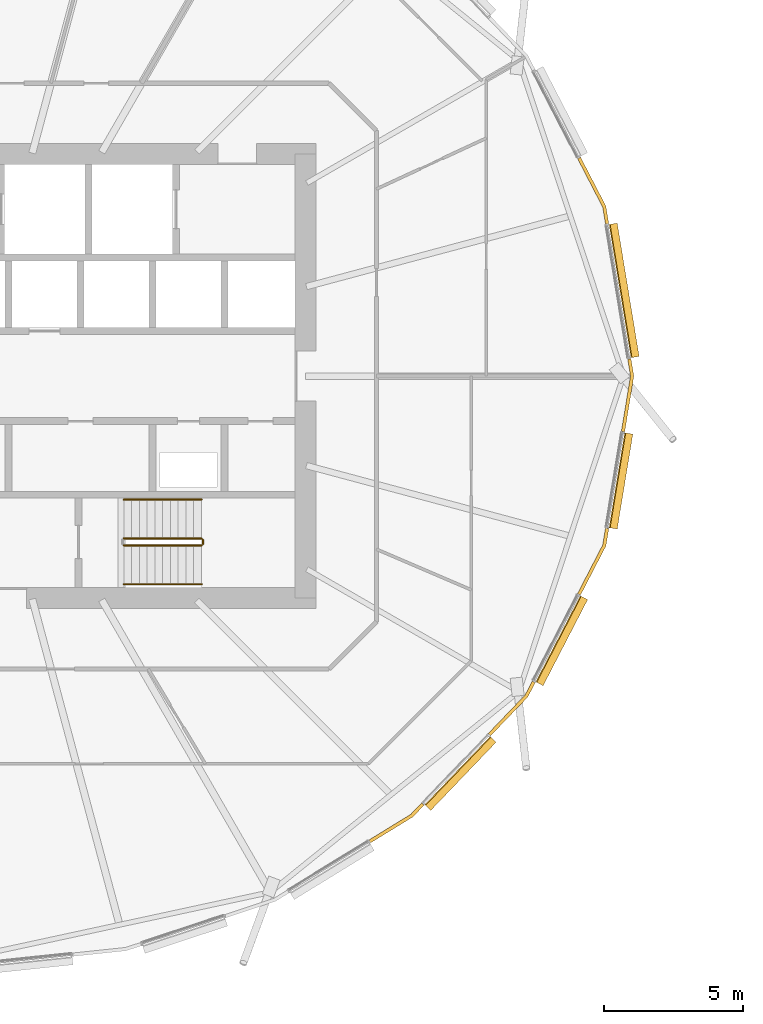
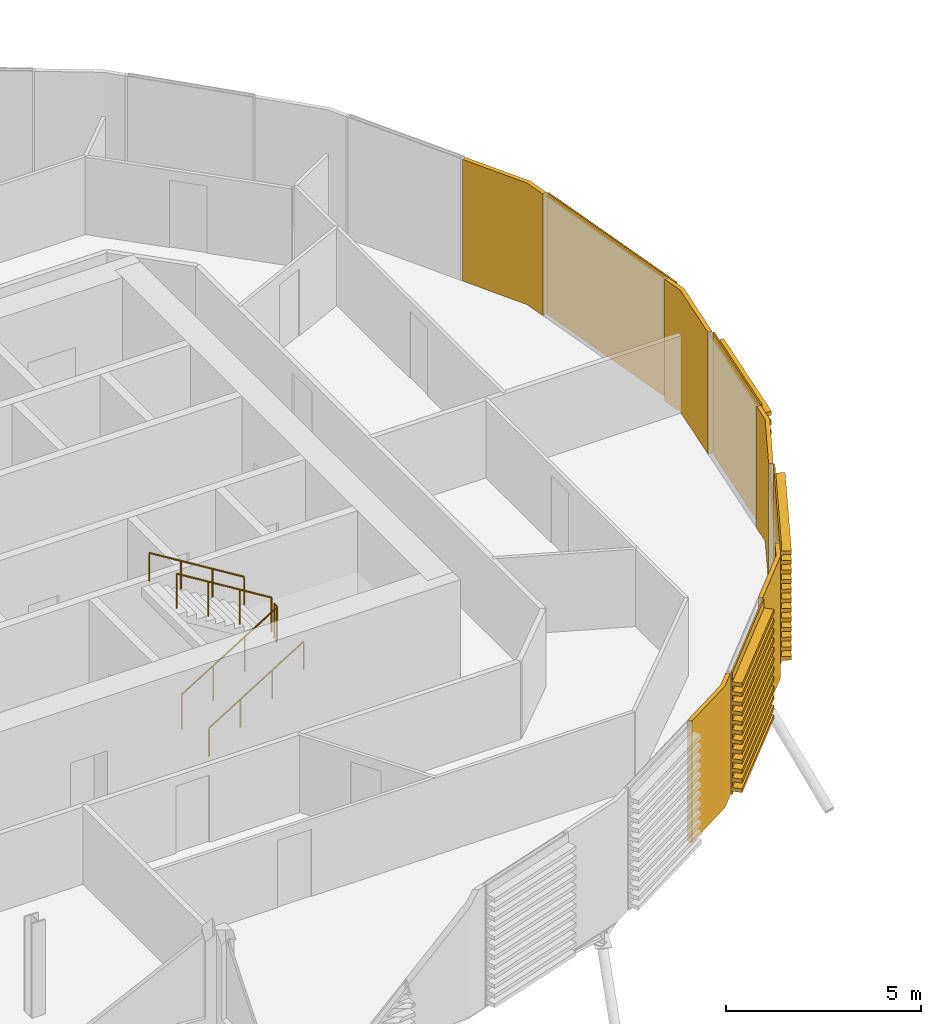
# One storey, part 38 of 42: 9 coverings, 5 railings.
"""IFC4 building model written with IfcOpenShell, lengths in metres."""

from ifc_helpers import new_model, si_unit, direction, frame, origin, origin_2d, place, context, subcontext, project, spatial, polyline, circle, outline, extrude, material, layer, layer_set, material_profile, profile_set, type_object, element, save


model = new_model("IFC4")

# Units and contexts
model_context = context("Model", 3, precision=1e-05, world=origin(), true_north=direction((0.0, 1.0)))
body_context = subcontext(model_context, "Body", "Model", "MODEL_VIEW")
ifc_project = project(units=[si_unit("LENGTHUNIT", "METRE"), si_unit("AREAUNIT", "SQUARE_METRE"), si_unit("VOLUMEUNIT", "CUBIC_METRE"), si_unit("PLANEANGLEUNIT", "RADIAN"), si_unit("MASSUNIT", "GRAM", prefix="KILO")], contexts=[model_context])

# Site, building, storey
site_placement = place(None, origin())
site = spatial("IfcSite", under=ifc_project, at=site_placement, CompositionType="ELEMENT")
building_placement = place(site_placement, origin())
building = spatial("IfcBuilding", under=site, at=building_placement, Name="Rimbun Link Towers", CompositionType="ELEMENT")
storey_placement = place(building_placement, frame((0.0, 0.0, 85.39990234375)))
storey = spatial("IfcBuildingStorey", under=building, at=storey_placement, Name="L20", CompositionType="ELEMENT", Elevation=85.39990234375)

# Coverings
ifc_material_1 = material(Name="Terracotta", Category="masonry")
ifc_layer = layer(ifc_material_1, 0.1201171875)
ifc_layer_set = layer_set([ifc_layer], Name="LINK PIER terracotta cladding 120")
covering_type_1 = type_object("IfcCoveringType", Name="LINK PIER terracotta cladding 120", PredefinedType="CLADDING", material=ifc_layer_set)
covering_1_placement = place(storey_placement, origin())
element("IfcCovering", 1, at=covering_1_placement, inside=storey, type_object=covering_type_1, Name="LINK PIER cladding", PredefinedType="CLADDING", context=body_context, shape_type="SweptSolid", body=[
    extrude(outline(polyline([(-8.144775390625, 0.61181640625), (-8.044189453125, 0.0), (-8.371826171875, -1.9931640625), (-8.25341796875, -2.0126953125), (-7.922607421875, 0.0), (-8.0263671875, 0.63134765625), (-8.144775390625, 0.61181640625)])), origin(), (0.0, 0.0, 1.0), 3.800048828125),
])
covering_2_placement = place(storey_placement, origin())
element("IfcCovering", 2, at=covering_2_placement, inside=storey, type_object=covering_type_1, Name="LINK PIER cladding", PredefinedType="CLADDING", context=body_context, shape_type="SweptSolid", body=[
    extrude(outline(polyline([(-9.94970703125, 7.83349609375), (-9.04443359375, 6.083984375), (-8.94384765625, 5.47216796875), (-8.825439453125, 5.49169921875), (-8.92919921875, 6.1220703125), (-9.84326171875, 7.888671875), (-9.94970703125, 7.83349609375)])), origin(), (0.0, 0.0, 1.0), 3.800048828125),
])
covering_3_placement = place(storey_placement, origin())
element("IfcCovering", 3, at=covering_3_placement, inside=storey, type_object=covering_type_1, Name="LINK PIER cladding", PredefinedType="CLADDING", context=body_context, shape_type="SweptSolid", body=[
    extrude(outline(polyline([(-15.567138671875, -15.376953125), (-15.96142578125, -15.78857421875), (-17.469970703125, -16.714599609375), (-17.406982421875, -16.81689453125), (-15.885498046875, -15.882568359375), (-15.48046875, -15.460205078125), (-15.567138671875, -15.376953125)])), origin(), (0.0, 0.0, 1.0), 3.800048828125),
])
covering_4_placement = place(storey_placement, origin())
element("IfcCovering", 4, at=covering_4_placement, inside=storey, type_object=covering_type_1, Name="LINK PIER cladding", PredefinedType="CLADDING", context=body_context, shape_type="SweptSolid", body=[
    extrude(outline(polyline([(-11.581298828125, -10.98681640625), (-11.84326171875, -11.4931640625), (-13.172119140625, -12.879150390625), (-13.08544921875, -12.962158203125), (-11.74462890625, -11.563720703125), (-11.474853515625, -11.0419921875), (-11.581298828125, -10.98681640625)])), origin(), (0.0, 0.0, 1.0), 3.800048828125),
])
covering_5_placement = place(storey_placement, origin())
element("IfcCovering", 5, at=covering_5_placement, inside=storey, type_object=covering_type_1, Name="LINK PIER cladding", PredefinedType="CLADDING", context=body_context, shape_type="SweptSolid", body=[
    extrude(outline(polyline([(-8.94384765625, -5.47216796875), (-9.04443359375, -6.083984375), (-9.94970703125, -7.83349609375), (-9.84326171875, -7.888671875), (-8.92919921875, -6.1220703125), (-8.825439453125, -5.49169921875), (-8.94384765625, -5.47216796875)])), origin(), (0.0, 0.0, 1.0), 3.800048828125),
])

# Railings
ifc_material_2 = material(Name="Stainless steel grade 316", Category="steel")
railing_type_1 = type_object("IfcRailingType", Name="Stair guard", PredefinedType="GUARDRAIL", material=ifc_material_2)
railing_1_placement = place(storey_placement, frame((-26.300048828125, -6.10009765625, 0.1728515625)))
element("IfcRailing", 6, at=railing_1_placement, inside=storey, type_object=railing_type_1, Name="L20 ST2 stair guard 1", PredefinedType="GUARDRAIL", context=body_context, shape_type="SweptSolid", body=[
    extrude(circle(Radius=0.02392578125, at=origin_2d()), frame((0.0, 0.0, 1.076171875), z_axis=(0.851089632645, 0.0, 0.525020415988), x_axis=(0.0, 1.0, 0.0)), (0.0, 0.0, 1.0), 3.2900390625),
    extrude(circle(Radius=0.02099609375, at=origin_2d()), origin(), (0.0, 0.0, 1.0), 1.052001953125),
    extrude(circle(Radius=0.02099609375, at=origin_2d()), frame((0.933349609375, 0.0, 0.57568359375)), (0.0, 0.0, 1.0), 1.052001953125),
    extrude(circle(Radius=0.02099609375, at=origin_2d()), frame((1.86669921875, 0.0, 1.151611328125)), (0.0, 0.0, 1.0), 1.052001953125),
    extrude(circle(Radius=0.02099609375, at=origin_2d()), frame((2.800048828125, 0.0, 1.727294921875)), (0.0, 0.0, 1.0), 1.052001953125),
])
railing_2_placement = place(storey_placement, frame((-23.449951171875, -6.050048828125, 1.900146484375)))
element("IfcRailing", 7, at=railing_2_placement, inside=storey, type_object=railing_type_1, Name="L20 ST2 stair guard 2", PredefinedType="GUARDRAIL", context=body_context, shape_type="SweptSolid", body=[
    extrude(circle(Radius=0.02392578125, at=origin_2d()), frame((0.0, 0.0, 1.076171875), z_axis=(0.0, 1.0, 0.0), x_axis=(-1.0, 0.0, 0.0)), (0.0, 0.0, 1.0), 0.150146484375),
    extrude(circle(Radius=0.02099609375, at=origin_2d()), origin(), (0.0, 0.0, 1.0), 1.052001953125),
    extrude(circle(Radius=0.02099609375, at=origin_2d()), frame((0.0, 0.150146484375, 0.0)), (0.0, 0.0, 1.0), 1.052001953125),
])
railing_3_placement = place(storey_placement, frame((-23.5, -5.85009765625, 2.07275390625)))
element("IfcRailing", 8, at=railing_3_placement, inside=storey, type_object=railing_type_1, Name="L20 ST2 stair guard 3", PredefinedType="GUARDRAIL", context=body_context, shape_type="SweptSolid", body=[
    extrude(circle(Radius=0.02392578125, at=origin_2d()), frame((0.0, 0.0, 1.076171875), z_axis=(-0.851089632645, 0.0, 0.525020415988), x_axis=(0.0, -1.0, 0.0)), (0.0, 0.0, 1.0), 3.2900390625),
    extrude(circle(Radius=0.02099609375, at=origin_2d()), origin(), (0.0, 0.0, 1.0), 1.052001953125),
    extrude(circle(Radius=0.02099609375, at=origin_2d()), frame((-0.933349609375, 0.0, 0.57568359375)), (0.0, 0.0, 1.0), 1.052001953125),
    extrude(circle(Radius=0.02099609375, at=origin_2d()), frame((-1.86669921875, 0.0, 1.151611328125)), (0.0, 0.0, 1.0), 1.052001953125),
    extrude(circle(Radius=0.02099609375, at=origin_2d()), frame((-2.800048828125, 0.0, 1.727294921875)), (0.0, 0.0, 1.0), 1.052001953125),
])
ifc_material_3 = material(Name="Stainless steel grade 316", Category="steel")
railing_type_2 = type_object("IfcRailingType", Name="Stair handrail", PredefinedType="HANDRAIL", material=ifc_material_3)
railing_4_placement = place(storey_placement, frame((-26.300048828125, -7.5, 0.1728515625)))
element("IfcRailing", 9, at=railing_4_placement, inside=storey, type_object=railing_type_2, Name="L20 ST2 stair handrail 1", PredefinedType="HANDRAIL", context=body_context, shape_type="SweptSolid", body=[
    extrude(circle(Radius=0.02392578125, at=origin_2d()), frame((0.0, 0.0, 0.8759765625), z_axis=(0.851089632645, 0.0, 0.525020415988), x_axis=(0.0, 1.0, 0.0)), (0.0, 0.0, 1.0), 3.2900390625),
    extrude(circle(Radius=0.02099609375, at=origin_2d()), origin(), (0.0, 0.0, 1.0), 0.851806640625),
    extrude(circle(Radius=0.02099609375, at=origin_2d()), frame((0.933349609375, 0.0, 0.57568359375)), (0.0, 0.0, 1.0), 0.851806640625),
    extrude(circle(Radius=0.02099609375, at=origin_2d()), frame((1.86669921875, 0.0, 1.151611328125)), (0.0, 0.0, 1.0), 0.851806640625),
    extrude(circle(Radius=0.02099609375, at=origin_2d()), frame((2.800048828125, 0.0, 1.727294921875)), (0.0, 0.0, 1.0), 0.851806640625),
])
railing_5_placement = place(storey_placement, frame((-23.5, -4.449951171875, 2.07275390625)))
element("IfcRailing", 10, at=railing_5_placement, inside=storey, type_object=railing_type_2, Name="L20 ST2 stair handrail 2", PredefinedType="HANDRAIL", context=body_context, shape_type="SweptSolid", body=[
    extrude(circle(Radius=0.02392578125, at=origin_2d()), frame((0.0, 0.0, 0.8759765625), z_axis=(-0.851089632645, 0.0, 0.525020415988), x_axis=(0.0, -1.0, 0.0)), (0.0, 0.0, 1.0), 3.2900390625),
    extrude(circle(Radius=0.02099609375, at=origin_2d()), origin(), (0.0, 0.0, 1.0), 0.851806640625),
    extrude(circle(Radius=0.02099609375, at=origin_2d()), frame((-0.933349609375, 0.0, 0.57568359375)), (0.0, 0.0, 1.0), 0.851806640625),
    extrude(circle(Radius=0.02099609375, at=origin_2d()), frame((-1.86669921875, 0.0, 1.151611328125)), (0.0, 0.0, 1.0), 0.851806640625),
    extrude(circle(Radius=0.02099609375, at=origin_2d()), frame((-2.800048828125, 0.0, 1.727294921875)), (0.0, 0.0, 1.0), 0.851806640625),
])

# Coverings
ifc_material_4 = material(Name="Terracotta", Category="masonry")
ifc_material_profile = material_profile(ifc_material_4, outline(polyline([(0.123046875, 0.0), (0.1630859375, 0.0), (0.1630859375, 0.10009765625), (0.423095703125, 0.10009765625), (0.423095703125, 0.219970703125), (0.1630859375, 0.219970703125), (0.1630859375, 0.39990234375), (0.423095703125, 0.39990234375), (0.423095703125, 0.52001953125), (0.1630859375, 0.52001953125), (0.1630859375, 0.699951171875), (0.423095703125, 0.699951171875), (0.423095703125, 0.820068359375), (0.1630859375, 0.820068359375), (0.1630859375, 1.0), (0.423095703125, 1.0), (0.423095703125, 1.1201171875), (0.1630859375, 1.1201171875), (0.1630859375, 1.300048828125), (0.423095703125, 1.300048828125), (0.423095703125, 1.419921875), (0.1630859375, 1.419921875), (0.1630859375, 1.60009765625), (0.423095703125, 1.60009765625), (0.423095703125, 1.719970703125), (0.1630859375, 1.719970703125), (0.1630859375, 1.89990234375), (0.423095703125, 1.89990234375), (0.423095703125, 2.02001953125), (0.1630859375, 2.02001953125), (0.1630859375, 2.199951171875), (0.423095703125, 2.199951171875), (0.423095703125, 2.320068359375), (0.1630859375, 2.320068359375), (0.1630859375, 2.5), (0.423095703125, 2.5), (0.423095703125, 2.6201171875), (0.1630859375, 2.6201171875), (0.1630859375, 2.800048828125), (0.423095703125, 2.800048828125), (0.423095703125, 2.919921875), (0.1630859375, 2.919921875), (0.1630859375, 3.10009765625), (0.423095703125, 3.10009765625), (0.423095703125, 3.219970703125), (0.1630859375, 3.219970703125), (0.1630859375, 3.39990234375), (0.423095703125, 3.39990234375), (0.423095703125, 3.52001953125), (0.1630859375, 3.52001953125), (0.1630859375, 3.800048828125), (0.123046875, 3.800048828125), (0.123046875, 0.0)])), Name="BAGUETTE 120X300")
ifc_profile_set = profile_set([ifc_material_profile], Name="Terracotta")
covering_type_2 = type_object("IfcCoveringType", Name="TERRACOTTA BAGUETTE 120X300 H3800", PredefinedType="CLADDING", material=ifc_profile_set)
covering_6_placement = place(storey_placement, frame((-8.93896484375, 5.442626953125, 0.0), z_axis=(0.162217977598, -0.986754948173, 0.0), x_axis=(0.986754948173, 0.162217977598, 0.0)))
element("IfcCovering", 11, at=covering_6_placement, inside=storey, type_object=covering_type_2, Name="TERRACOTTA BAGUETTE", PredefinedType="CLADDING", context=body_context, shape_type="SweptSolid", body=[
    extrude(outline(polyline([(0.123046875, 0.0), (0.1630859375, 0.0), (0.1630859375, 0.10009765625), (0.423095703125, 0.10009765625), (0.423095703125, 0.219970703125), (0.1630859375, 0.219970703125), (0.1630859375, 0.39990234375), (0.423095703125, 0.39990234375), (0.423095703125, 0.52001953125), (0.1630859375, 0.52001953125), (0.1630859375, 0.699951171875), (0.423095703125, 0.699951171875), (0.423095703125, 0.820068359375), (0.1630859375, 0.820068359375), (0.1630859375, 1.0), (0.423095703125, 1.0), (0.423095703125, 1.1201171875), (0.1630859375, 1.1201171875), (0.1630859375, 1.300048828125), (0.423095703125, 1.300048828125), (0.423095703125, 1.419921875), (0.1630859375, 1.419921875), (0.1630859375, 1.60009765625), (0.423095703125, 1.60009765625), (0.423095703125, 1.719970703125), (0.1630859375, 1.719970703125), (0.1630859375, 1.89990234375), (0.423095703125, 1.89990234375), (0.423095703125, 2.02001953125), (0.1630859375, 2.02001953125), (0.1630859375, 2.199951171875), (0.423095703125, 2.199951171875), (0.423095703125, 2.320068359375), (0.1630859375, 2.320068359375), (0.1630859375, 2.5), (0.423095703125, 2.5), (0.423095703125, 2.6201171875), (0.1630859375, 2.6201171875), (0.1630859375, 2.800048828125), (0.423095703125, 2.800048828125), (0.423095703125, 2.919921875), (0.1630859375, 2.919921875), (0.1630859375, 3.10009765625), (0.423095703125, 3.10009765625), (0.423095703125, 3.219970703125), (0.1630859375, 3.219970703125), (0.1630859375, 3.39990234375), (0.423095703125, 3.39990234375), (0.423095703125, 3.52001953125), (0.1630859375, 3.52001953125), (0.1630859375, 3.800048828125), (0.123046875, 3.800048828125), (0.123046875, 0.0)])), origin(), (0.0, 0.0, 1.0), 4.86572265625),
])
covering_7_placement = place(storey_placement, frame((-13.19287109375, -12.900634765625, 0.0), z_axis=(-0.692016066289, -0.721882098406, 0.0), x_axis=(0.721882098406, -0.692016066289, 0.0)))
element("IfcCovering", 12, at=covering_7_placement, inside=storey, type_object=covering_type_2, Name="TERRACOTTA BAGUETTE", PredefinedType="CLADDING", context=body_context, shape_type="SweptSolid", body=[
    extrude(outline(polyline([(0.123046875, 0.0), (0.1630859375, 0.0), (0.1630859375, 0.10009765625), (0.423095703125, 0.10009765625), (0.423095703125, 0.219970703125), (0.1630859375, 0.219970703125), (0.1630859375, 0.39990234375), (0.423095703125, 0.39990234375), (0.423095703125, 0.52001953125), (0.1630859375, 0.52001953125), (0.1630859375, 0.699951171875), (0.423095703125, 0.699951171875), (0.423095703125, 0.820068359375), (0.1630859375, 0.820068359375), (0.1630859375, 1.0), (0.423095703125, 1.0), (0.423095703125, 1.1201171875), (0.1630859375, 1.1201171875), (0.1630859375, 1.300048828125), (0.423095703125, 1.300048828125), (0.423095703125, 1.419921875), (0.1630859375, 1.419921875), (0.1630859375, 1.60009765625), (0.423095703125, 1.60009765625), (0.423095703125, 1.719970703125), (0.1630859375, 1.719970703125), (0.1630859375, 1.89990234375), (0.423095703125, 1.89990234375), (0.423095703125, 2.02001953125), (0.1630859375, 2.02001953125), (0.1630859375, 2.199951171875), (0.423095703125, 2.199951171875), (0.423095703125, 2.320068359375), (0.1630859375, 2.320068359375), (0.1630859375, 2.5), (0.423095703125, 2.5), (0.423095703125, 2.6201171875), (0.1630859375, 2.6201171875), (0.1630859375, 2.800048828125), (0.423095703125, 2.800048828125), (0.423095703125, 2.919921875), (0.1630859375, 2.919921875), (0.1630859375, 3.10009765625), (0.423095703125, 3.10009765625), (0.423095703125, 3.219970703125), (0.1630859375, 3.219970703125), (0.1630859375, 3.39990234375), (0.423095703125, 3.39990234375), (0.423095703125, 3.52001953125), (0.1630859375, 3.52001953125), (0.1630859375, 3.800048828125), (0.123046875, 3.800048828125), (0.123046875, 0.0)])), origin(), (0.0, 0.0, 1.0), 3.400634765625),
])
covering_8_placement = place(storey_placement, frame((-9.963623046875, -7.860107421875, 0.0), z_axis=(-0.459537083826, -0.888158583018, 0.0), x_axis=(0.888158583018, -0.459537083826, 0.0)))
element("IfcCovering", 13, at=covering_8_placement, inside=storey, type_object=covering_type_2, Name="TERRACOTTA BAGUETTE", PredefinedType="CLADDING", context=body_context, shape_type="SweptSolid", body=[
    extrude(outline(polyline([(0.123046875, 0.0), (0.1630859375, 0.0), (0.1630859375, 0.10009765625), (0.423095703125, 0.10009765625), (0.423095703125, 0.219970703125), (0.1630859375, 0.219970703125), (0.1630859375, 0.39990234375), (0.423095703125, 0.39990234375), (0.423095703125, 0.52001953125), (0.1630859375, 0.52001953125), (0.1630859375, 0.699951171875), (0.423095703125, 0.699951171875), (0.423095703125, 0.820068359375), (0.1630859375, 0.820068359375), (0.1630859375, 1.0), (0.423095703125, 1.0), (0.423095703125, 1.1201171875), (0.1630859375, 1.1201171875), (0.1630859375, 1.300048828125), (0.423095703125, 1.300048828125), (0.423095703125, 1.419921875), (0.1630859375, 1.419921875), (0.1630859375, 1.60009765625), (0.423095703125, 1.60009765625), (0.423095703125, 1.719970703125), (0.1630859375, 1.719970703125), (0.1630859375, 1.89990234375), (0.423095703125, 1.89990234375), (0.423095703125, 2.02001953125), (0.1630859375, 2.02001953125), (0.1630859375, 2.199951171875), (0.423095703125, 2.199951171875), (0.423095703125, 2.320068359375), (0.1630859375, 2.320068359375), (0.1630859375, 2.5), (0.423095703125, 2.5), (0.423095703125, 2.6201171875), (0.1630859375, 2.6201171875), (0.1630859375, 2.800048828125), (0.423095703125, 2.800048828125), (0.423095703125, 2.919921875), (0.1630859375, 2.919921875), (0.1630859375, 3.10009765625), (0.423095703125, 3.10009765625), (0.423095703125, 3.219970703125), (0.1630859375, 3.219970703125), (0.1630859375, 3.39990234375), (0.423095703125, 3.39990234375), (0.423095703125, 3.52001953125), (0.1630859375, 3.52001953125), (0.1630859375, 3.800048828125), (0.123046875, 3.800048828125), (0.123046875, 0.0)])), origin(), (0.0, 0.0, 1.0), 3.490478515625),
])
covering_9_placement = place(storey_placement, frame((-8.376708984375, -2.02294921875, 0.0), z_axis=(-0.162239487498, -0.986751411804, 0.0), x_axis=(0.986751411804, -0.162239487498, 0.0)))
element("IfcCovering", 14, at=covering_9_placement, inside=storey, type_object=covering_type_2, Name="TERRACOTTA BAGUETTE", PredefinedType="CLADDING", context=body_context, shape_type="SweptSolid", body=[
    extrude(outline(polyline([(0.123046875, 0.0), (0.1630859375, 0.0), (0.1630859375, 0.10009765625), (0.423095703125, 0.10009765625), (0.423095703125, 0.219970703125), (0.1630859375, 0.219970703125), (0.1630859375, 0.39990234375), (0.423095703125, 0.39990234375), (0.423095703125, 0.52001953125), (0.1630859375, 0.52001953125), (0.1630859375, 0.699951171875), (0.423095703125, 0.699951171875), (0.423095703125, 0.820068359375), (0.1630859375, 0.820068359375), (0.1630859375, 1.0), (0.423095703125, 1.0), (0.423095703125, 1.1201171875), (0.1630859375, 1.1201171875), (0.1630859375, 1.300048828125), (0.423095703125, 1.300048828125), (0.423095703125, 1.419921875), (0.1630859375, 1.419921875), (0.1630859375, 1.60009765625), (0.423095703125, 1.60009765625), (0.423095703125, 1.719970703125), (0.1630859375, 1.719970703125), (0.1630859375, 1.89990234375), (0.423095703125, 1.89990234375), (0.423095703125, 2.02001953125), (0.1630859375, 2.02001953125), (0.1630859375, 2.199951171875), (0.423095703125, 2.199951171875), (0.423095703125, 2.320068359375), (0.1630859375, 2.320068359375), (0.1630859375, 2.5), (0.423095703125, 2.5), (0.423095703125, 2.6201171875), (0.1630859375, 2.6201171875), (0.1630859375, 2.800048828125), (0.423095703125, 2.800048828125), (0.423095703125, 2.919921875), (0.1630859375, 2.919921875), (0.1630859375, 3.10009765625), (0.423095703125, 3.10009765625), (0.423095703125, 3.219970703125), (0.1630859375, 3.219970703125), (0.1630859375, 3.39990234375), (0.423095703125, 3.39990234375), (0.423095703125, 3.52001953125), (0.1630859375, 3.52001953125), (0.1630859375, 3.800048828125), (0.123046875, 3.800048828125), (0.123046875, 0.0)])), origin(), (0.0, 0.0, 1.0), 3.465576171875),
])

save(model, "model.ifc")
